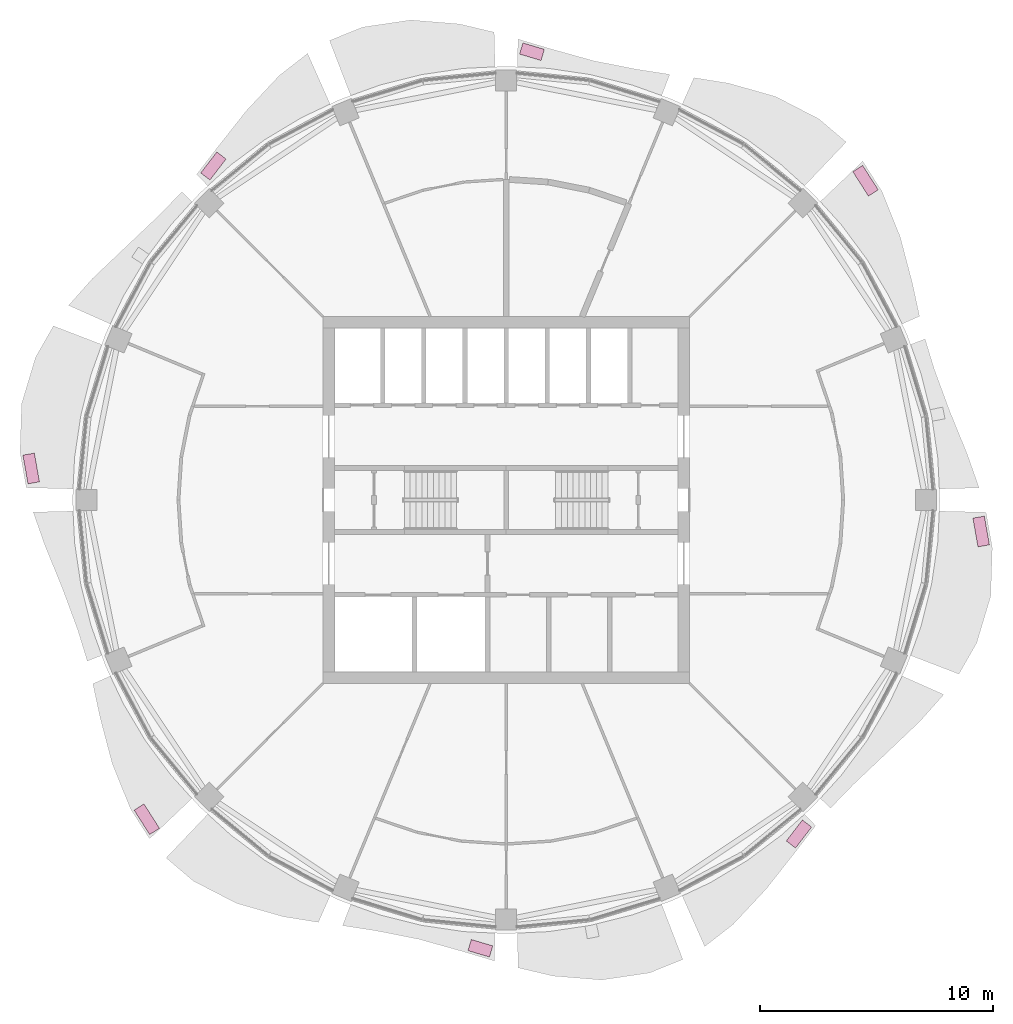
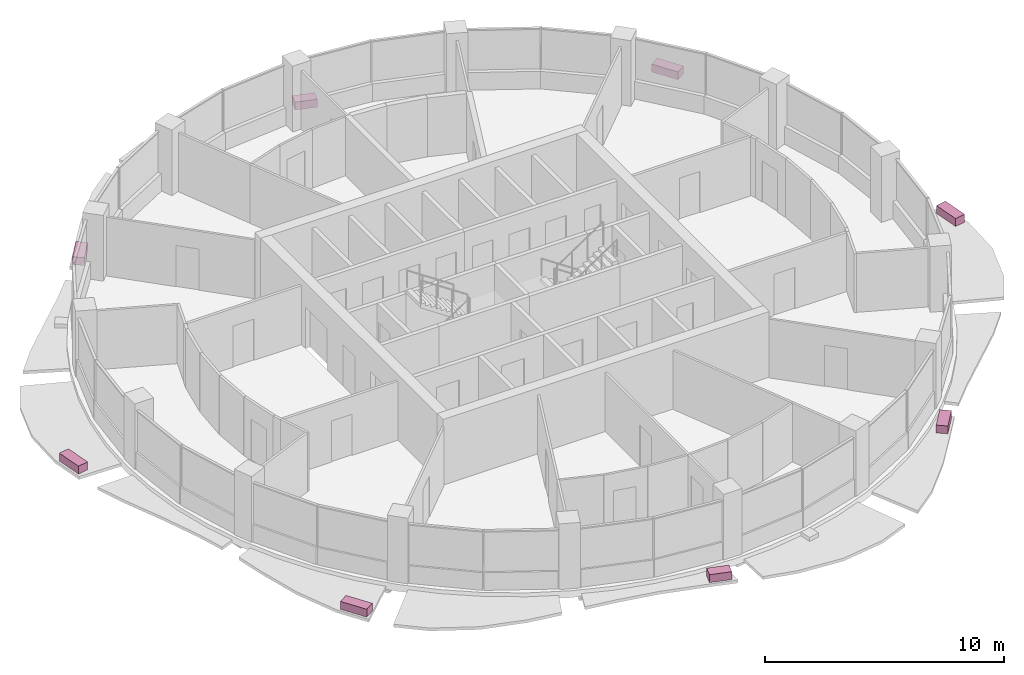
# One storey, part 15 of 15: 8 furniture elements.
"""IFC4 building model written with IfcOpenShell, lengths in metres."""

import ifcopenshell
import ifcopenshell.guid

model = None  # the IFC model being written
_history = None  # IfcOwnerHistory: only IFC2X3 demands one
_inside = {}  # id of a spatial element -> (the spatial element, [elements in it])
_under = {}  # id of a project, library or spatial element -> (it, [spatial elements below it])
_declared = {}  # id of a project -> (the project, [libraries it declares])
_typed = {}  # id of a type object -> (the type object, [elements of that type])
_made_of = {}  # id of a material, layer set ... -> (it, [elements and type objects made of it])


def new_model(schema):
    """Start an empty IFC model of exactly this schema.

    Asked for "IFC4X3", IfcOpenShell would pick the latest addendum, in which some entities
    have other attributes; the version numbers below select the first issue.
    IFC2X3 requires an IfcOwnerHistory on every rooted entity: one is made here for all.
    """
    global model, _history
    if schema == "IFC4X3":
        model = ifcopenshell.file(schema_version=(4, 3, 0, 0))
    else:
        model = ifcopenshell.file(schema=schema)
    _inside.clear()
    _under.clear()
    _declared.clear()
    _typed.clear()
    _made_of.clear()
    _history = None
    if model.schema == "IFC2X3":
        org = make("IfcOrganization", Name="unknown")
        user = make(
            "IfcPersonAndOrganization",
            ThePerson=make("IfcPerson", FamilyName="unknown"),
            TheOrganization=org,
        )
        app = make(
            "IfcApplication",
            ApplicationDeveloper=org,
            Version="unknown",
            ApplicationFullName="unknown",
            ApplicationIdentifier="unknown",
        )
        _history = make(
            "IfcOwnerHistory",
            OwningUser=user,
            OwningApplication=app,
            ChangeAction="ADDED",
            CreationDate=0,
        )
    return model


def make(cls, **values):
    """One entity of the class cls with the attributes given. An attribute that is None is left unset."""
    return model.create_entity(
        cls, **{name: value for name, value in values.items() if value is not None}
    )


def rooted(cls, **values):
    """An entity with a GlobalId (a new one), such as an element, a storey or a relation."""
    return make(cls, GlobalId=ifcopenshell.guid.new(), OwnerHistory=_history, **values)


def si_unit(unit_type, name, prefix=None):
    """IfcSIUnit, for example si_unit("LENGTHUNIT", "METRE", prefix="MILLI")."""
    return make("IfcSIUnit", UnitType=unit_type, Prefix=prefix, Name=name)


def assignment(units):
    """IfcUnitAssignment: the units of a project."""
    return None if units is None else make("IfcUnitAssignment", Units=units)


def point(xyz):
    """IfcCartesianPoint."""
    return None if xyz is None else make("IfcCartesianPoint", Coordinates=xyz)


def direction(xyz):
    """IfcDirection."""
    return None if xyz is None else make("IfcDirection", DirectionRatios=xyz)


def frame(location, z_axis=None, x_axis=None):
    """IfcAxis2Placement3D, a coordinate frame: its origin and axes. An axis left out is left unset."""
    return make(
        "IfcAxis2Placement3D",
        Location=point(location),
        Axis=direction(z_axis),
        RefDirection=direction(x_axis),
    )


def frame_2d(location, x_axis=None):
    """IfcAxis2Placement2D, a coordinate frame in the plane: its origin and x axis."""
    return make(
        "IfcAxis2Placement2D", Location=point(location), RefDirection=direction(x_axis)
    )


def origin():
    """The frame at (0, 0, 0) with its axes left unset."""
    return frame((0.0, 0.0, 0.0))


def origin_2d():
    """The frame at (0, 0) in the plane with its x axis left unset."""
    return frame_2d((0.0, 0.0))


def place(relative_to, where):
    """IfcLocalPlacement: puts the frame where relative to a parent placement (None: the world)."""
    return make(
        "IfcLocalPlacement", PlacementRelTo=relative_to, RelativePlacement=where
    )


def context(
    kind, dimensions, precision=None, world=None, true_north=None, identifier=None
):
    """IfcGeometricRepresentationContext, for example the 3D "Model" context."""
    return make(
        "IfcGeometricRepresentationContext",
        ContextIdentifier=identifier,
        ContextType=kind,
        CoordinateSpaceDimension=dimensions,
        Precision=precision,
        WorldCoordinateSystem=world,
        TrueNorth=true_north,
    )


def subcontext(parent, identifier, kind, view, scale=None):
    """IfcGeometricRepresentationSubContext, for example "Body" below "Model"."""
    return make(
        "IfcGeometricRepresentationSubContext",
        ContextIdentifier=identifier,
        ContextType=kind,
        ParentContext=parent,
        TargetScale=scale,
        TargetView=view,
    )


def project(units=None, contexts=None):
    """IfcProject with its units and contexts."""
    return rooted(
        "IfcProject",
        Name="project",
        RepresentationContexts=contexts,
        UnitsInContext=assignment(units),
    )


def spatial(cls, under=None, at=None, **own):
    """A site, building, storey or space (cls), placed at a placement, below another one or the project."""
    s = rooted(cls, ObjectPlacement=at, **own)
    if under is not None:
        _under.setdefault(under.id(), (under, []))[1].append(s)
    return s


def profile(cls, at=None, kind="AREA", **sizes):
    """A parametric profile (cls). Its sizes go by their IFC names, for example OverallWidth=200.0."""
    return make(cls, ProfileType=kind, Position=at, **sizes)


def rectangle(**sizes):
    """IfcRectangleProfileDef."""
    return profile("IfcRectangleProfileDef", **sizes)


def extrude(swept, where, along, depth):
    """IfcExtrudedAreaSolid: the profile swept, set in the frame where, extruded along a direction by depth."""
    return make(
        "IfcExtrudedAreaSolid",
        SweptArea=swept,
        Position=where,
        ExtrudedDirection=direction(along),
        Depth=depth,
    )


def shape(context_of_items, identifier, shape_type, items):
    """IfcShapeRepresentation: the items that make up one representation, for example the "Body"."""
    return make(
        "IfcShapeRepresentation",
        ContextOfItems=context_of_items,
        RepresentationIdentifier=identifier,
        RepresentationType=shape_type,
        Items=items,
    )


def material(Name=None, Category=None):
    """IfcMaterial."""
    return make("IfcMaterial", Name=Name, Category=Category)


def made_of(thing, what):
    """Note that an element or type object is made of a material, layer set ...; save() writes the relation."""
    if what is not None:
        _made_of.setdefault(what.id(), (what, []))[1].append(thing)
    return thing


def type_object(cls, material=None, **own):
    """A type object (cls), such as IfcWallType, which elements share."""
    return made_of(rooted(cls, **own), material)


def element(
    cls,
    number,
    at=None,
    inside=None,
    cuts=None,
    type_object=None,
    material=None,
    context=None,
    identifier="Body",
    shape_type=None,
    held_by="IfcProductDefinitionShape",
    body=None,
    shapes=None,
    **own,
):
    """One element of the class cls, such as IfcWall. Its Tag is "e" and its number.

    at: its placement. inside: the storey or other place that contains it. cuts: it is an
    opening in that element (IfcRelVoidsElement). A single representation is given by context,
    identifier, shape_type and body (its items); several are given by shapes. held_by: the class
    of the entity that holds the representations. save() writes the other relations.
    """
    e = rooted(cls, Tag="e%d" % number, ObjectPlacement=at, **own)
    if body is not None:
        shapes = [shape(context, identifier, shape_type, body)]
    if shapes is not None:
        e.Representation = make(held_by, Representations=shapes)
    if inside is not None:
        _inside.setdefault(inside.id(), (inside, []))[1].append(e)
    if cuts is not None:
        rooted(
            "IfcRelVoidsElement", RelatingBuildingElement=cuts, RelatedOpeningElement=e
        )
    if type_object is not None:
        _typed.setdefault(type_object.id(), (type_object, []))[1].append(e)
    return made_of(e, material)


def aggregate(whole, parts):
    """IfcRelAggregates: a whole, such as a stair, and the parts it consists of."""
    return rooted("IfcRelAggregates", RelatingObject=whole, RelatedObjects=parts)


def save(model, path):
    """Write the relations noted so far, then the file.

    IfcRelAggregates (storeys below a building ...), IfcRelContainedInSpatialStructure (elements
    in a storey), IfcRelDefinesByType, IfcRelAssociatesMaterial and IfcRelDeclares: one each for
    every whole, place, type object, material and project.
    """
    for whole, parts in _under.values():
        aggregate(whole, parts)
    for where, things in _inside.values():
        rooted(
            "IfcRelContainedInSpatialStructure",
            RelatedElements=things,
            RelatingStructure=where,
        )
    for kind, things in _typed.values():
        rooted("IfcRelDefinesByType", RelatedObjects=things, RelatingType=kind)
    for what, things in _made_of.values():
        rooted("IfcRelAssociatesMaterial", RelatedObjects=things, RelatingMaterial=what)
    for by, libraries in _declared.values():
        rooted("IfcRelDeclares", RelatingContext=by, RelatedDefinitions=libraries)
    model.write(path)


model = new_model("IFC4")

# Units and contexts
model_context = context("Model", 3, precision=1e-05, world=origin(), true_north=direction((0.0, 1.0)))
body_context = subcontext(model_context, "Body", "Model", "MODEL_VIEW")
ifc_project = project(units=[si_unit("LENGTHUNIT", "METRE"), si_unit("AREAUNIT", "SQUARE_METRE"), si_unit("VOLUMEUNIT", "CUBIC_METRE"), si_unit("PLANEANGLEUNIT", "RADIAN"), si_unit("MASSUNIT", "GRAM", prefix="KILO")], contexts=[model_context])

# Site, building, storey
site_placement = place(None, origin())
site = spatial("IfcSite", under=ifc_project, at=site_placement, CompositionType="ELEMENT")
building_placement = place(site_placement, origin())
building = spatial("IfcBuilding", under=site, at=building_placement, Name="Polderwave Tower", CompositionType="ELEMENT")
storey_placement = place(building_placement, frame((0.0, 0.0, 177.60009765625)))
storey = spatial("IfcBuildingStorey", under=building, at=storey_placement, Name="L47", CompositionType="ELEMENT", Elevation=177.60009765625)

# Furniture
ifc_material = material(Name="Terracotta", Category="masonry")
furniture_type = type_object("IfcFurnitureType", Name="Terracotta planting trough", AssemblyPlace="NOTDEFINED", PredefinedType="USERDEFINED", material=ifc_material)
furniture_1_placement = place(storey_placement, frame((15.428466796875, 13.7060546875, -0.199951171875), z_axis=(0.0, 0.0, 1.0), x_axis=(-0.537766148744, 0.843094045327, 0.0)))
element("IfcFurniture", 1, at=furniture_1_placement, inside=storey, type_object=furniture_type, Name="Planting trough L47 2", ObjectType="PLANTER", PredefinedType="USERDEFINED", context=body_context, shape_type="SweptSolid", body=[
    extrude(rectangle(XDim=1.241943359375, YDim=0.5, at=origin_2d()), origin(), (0.0, 0.0, 1.0), 0.39990234375),
])
furniture_2_placement = place(storey_placement, frame((1.107421875, 19.245849609375, -0.199951171875), z_axis=(0.0, 0.0, 1.0), x_axis=(-0.958371923565, 0.285522776887, 0.0)))
element("IfcFurniture", 2, at=furniture_2_placement, inside=storey, type_object=furniture_type, Name="Planting trough L47 4", ObjectType="PLANTER", PredefinedType="USERDEFINED", context=body_context, shape_type="SweptSolid", body=[
    extrude(rectangle(XDim=0.9619140625, YDim=0.5, at=origin_2d()), origin(), (0.0, 0.0, 1.0), 0.39990234375),
])
furniture_3_placement = place(storey_placement, frame((-12.570556640625, 14.33984375, -0.199951171875), z_axis=(0.0, 0.0, 1.0), x_axis=(-0.609519945662, -0.792770733466, 0.0)))
element("IfcFurniture", 3, at=furniture_3_placement, inside=storey, type_object=furniture_type, Name="Planting trough L47 6", ObjectType="PLANTER", PredefinedType="USERDEFINED", context=body_context, shape_type="SweptSolid", body=[
    extrude(rectangle(XDim=1.1357421875, YDim=0.5, at=origin_2d()), origin(), (0.0, 0.0, 1.0), 0.39990234375),
])
furniture_4_placement = place(storey_placement, frame((-20.392822265625, 1.352783203125, -0.199951171875), z_axis=(0.0, 0.0, 1.0), x_axis=(0.174340816609, -0.9846853709, 0.0)))
element("IfcFurniture", 4, at=furniture_4_placement, inside=storey, type_object=furniture_type, Name="Planting trough L47 8", ObjectType="PLANTER", PredefinedType="USERDEFINED", context=body_context, shape_type="SweptSolid", body=[
    extrude(rectangle(XDim=1.251953125, YDim=0.5, at=origin_2d()), origin(), (0.0, 0.0, 1.0), 0.39990234375),
])
furniture_5_placement = place(storey_placement, frame((-15.428466796875, -13.7060546875, -0.199951171875), z_axis=(0.0, 0.0, 1.0), x_axis=(0.537766148744, -0.843094045327, 0.0)))
element("IfcFurniture", 5, at=furniture_5_placement, inside=storey, type_object=furniture_type, Name="Planting trough L47 10", ObjectType="PLANTER", PredefinedType="USERDEFINED", context=body_context, shape_type="SweptSolid", body=[
    extrude(rectangle(XDim=1.241943359375, YDim=0.5, at=origin_2d()), origin(), (0.0, 0.0, 1.0), 0.39990234375),
])
furniture_6_placement = place(storey_placement, frame((-1.107421875, -19.245849609375, -0.199951171875), z_axis=(0.0, 0.0, 1.0), x_axis=(0.958371923565, -0.285522776887, 0.0)))
element("IfcFurniture", 6, at=furniture_6_placement, inside=storey, type_object=furniture_type, Name="Planting trough L47 12", ObjectType="PLANTER", PredefinedType="USERDEFINED", context=body_context, shape_type="SweptSolid", body=[
    extrude(rectangle(XDim=0.9619140625, YDim=0.5, at=origin_2d()), origin(), (0.0, 0.0, 1.0), 0.39990234375),
])
furniture_7_placement = place(storey_placement, frame((12.570556640625, -14.33984375, -0.199951171875), z_axis=(0.0, 0.0, 1.0), x_axis=(0.609519945662, 0.792770733466, 0.0)))
element("IfcFurniture", 7, at=furniture_7_placement, inside=storey, type_object=furniture_type, Name="Planting trough L47 14", ObjectType="PLANTER", PredefinedType="USERDEFINED", context=body_context, shape_type="SweptSolid", body=[
    extrude(rectangle(XDim=1.1357421875, YDim=0.5, at=origin_2d()), origin(), (0.0, 0.0, 1.0), 0.39990234375),
])
furniture_8_placement = place(storey_placement, frame((20.392822265625, -1.352783203125, -0.199951171875), z_axis=(0.0, 0.0, 1.0), x_axis=(-0.174340816609, 0.9846853709, 0.0)))
element("IfcFurniture", 8, at=furniture_8_placement, inside=storey, type_object=furniture_type, Name="Planting trough L47 16", ObjectType="PLANTER", PredefinedType="USERDEFINED", context=body_context, shape_type="SweptSolid", body=[
    extrude(rectangle(XDim=1.251953125, YDim=0.5, at=origin_2d()), origin(), (0.0, 0.0, 1.0), 0.39990234375),
])

save(model, "model.ifc")
